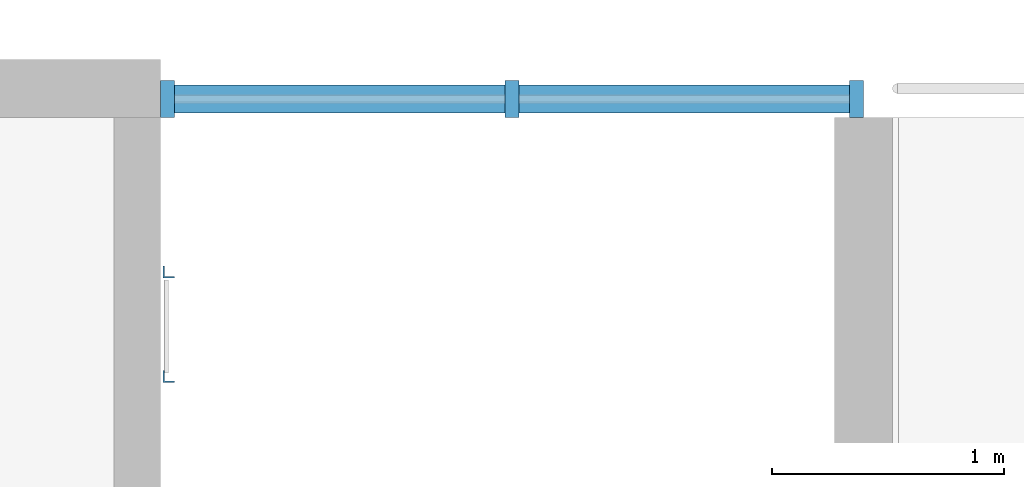
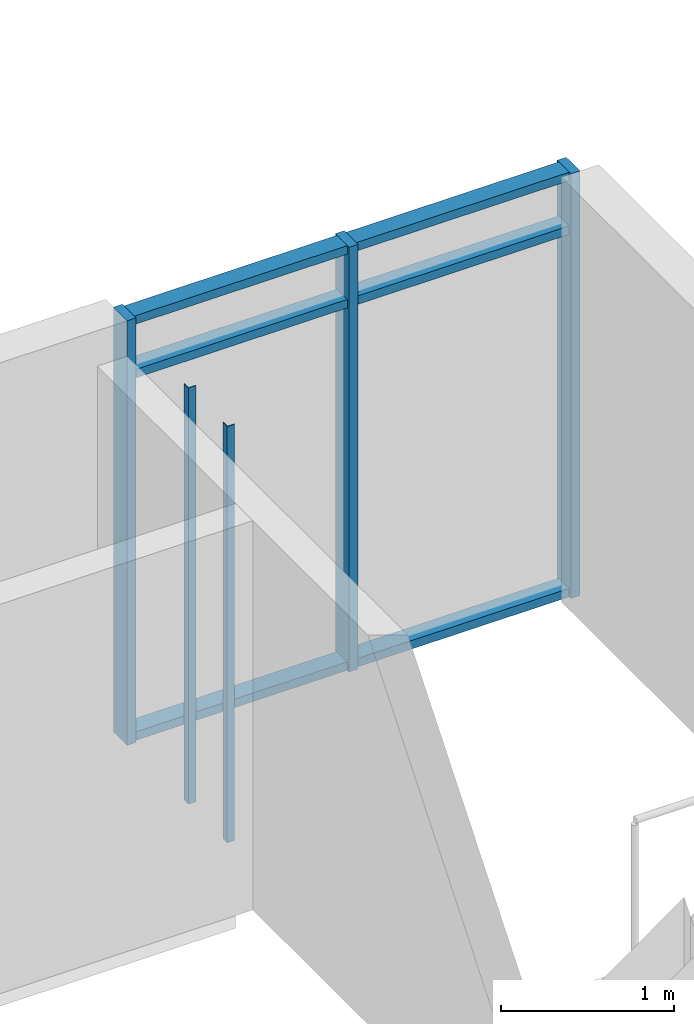
# One storey, part 12 of 33: 11 members, 1 element without a shape of its own.
"""IFC4 building model written with IfcOpenShell, lengths in metres."""

from ifc_helpers import new_model, si_unit, direction, frame, origin, origin_2d, place, context, subcontext, project, spatial, polyline, rectangle, outline, extrude, material, material_profile, profile_set, type_object, element, aggregate, save


model = new_model("IFC4")

# Units and contexts
model_context = context("Model", 3, precision=1e-05, world=origin(), true_north=direction((0.0, 1.0)))
body_context = subcontext(model_context, "Body", "Model", "MODEL_VIEW")
ifc_project = project(units=[si_unit("LENGTHUNIT", "METRE"), si_unit("AREAUNIT", "SQUARE_METRE"), si_unit("VOLUMEUNIT", "CUBIC_METRE"), si_unit("PLANEANGLEUNIT", "RADIAN"), si_unit("MASSUNIT", "GRAM", prefix="KILO")], contexts=[model_context])

# Site, building, storey
site_placement = place(None, origin())
site = spatial("IfcSite", under=ifc_project, at=site_placement, CompositionType="ELEMENT")
building_placement = place(site_placement, origin())
building = spatial("IfcBuilding", under=site, at=building_placement, Name="Ridgestep Commons", CompositionType="ELEMENT")
storey_placement = place(building_placement, frame((0.0, 0.0, 42.0)))
storey = spatial("IfcBuildingStorey", under=building, at=storey_placement, Name="L14", CompositionType="ELEMENT", Elevation=42.0)

# Members
ifc_material_1 = material(Name="Structural steel S355JR", Category="steel")
ifc_material_profile_1 = material_profile(ifc_material_1, outline(polyline([(-0.014404296875, -0.014404296875), (0.03564453125, -0.014404296875), (0.03564453125, -0.00927734375), (-0.00927734375, -0.00927734375), (-0.00927734375, 0.03564453125), (-0.014404296875, 0.03564453125), (-0.014404296875, -0.014404296875)])), Name="EA 50x50x5")
ifc_profile_set_1 = profile_set([ifc_material_profile_1], Name="Structural steel S355JR")
member_type_1 = type_object("IfcMemberType", Name="Core ladder stile EA 50x50x5", PredefinedType="STRINGER", material=ifc_profile_set_1)
for number, where, z_axis, x_axis, name in (
    (1, (217.0, 21.625, 0.0), (0.0, 0.0, 1.0), (1.0, 0.0, 0.0), "Ladder stile D5C.1"),
    (2, (217.0, 22.074951171875, 0.0), (0.0, 0.0, 1.0), (1.0, 0.0, 0.0), "Ladder stile D5C.2"),
):
    element("IfcMember", number, at=place(storey_placement, frame(where, z_axis=z_axis, x_axis=x_axis)), inside=storey, type_object=member_type_1, Name=name, PredefinedType="STRINGER", context=body_context, shape_type="SweptSolid", body=[
        extrude(outline(polyline([(-0.014404296875, -0.014404296875), (0.03564453125, -0.014404296875), (0.03564453125, -0.00927734375), (-0.00927734375, -0.00927734375), (-0.00927734375, 0.03564453125), (-0.014404296875, 0.03564453125), (-0.014404296875, -0.014404296875)])), origin(), (0.0, 0.0, 1.0), 2.93994140625),
    ])

# Curtain wall, members
ifc_material_2 = material(Name="Aluminium 6063-T6 and glass", Category="aluminium")
curtain_wall_type = type_object("IfcCurtainWallType", Name="Curtain wall stair strip", PredefinedType="NOTDEFINED", material=ifc_material_2)
curtain_wall_placement = place(storey_placement, origin())
curtain_wall = element("IfcCurtainWall", 3, at=curtain_wall_placement, inside=storey, type_object=curtain_wall_type, Name="Curtain wall D5C level 14", PredefinedType="NOTDEFINED")
ifc_material_3 = material(Name="Aluminium 6063-T6", Category="aluminium")
ifc_material_profile_2 = material_profile(ifc_material_3, rectangle(XDim=0.159912109375, YDim=0.06005859375, at=origin_2d()), Name="Mullion 60 x 160")
ifc_profile_set_2 = profile_set([ifc_material_profile_2], Name="Aluminium 6063-T6")
member_type_2 = type_object("IfcMemberType", Name="Mullion 60 x 160", PredefinedType="MULLION", material=ifc_profile_set_2)
member_1_placement = place(storey_placement, frame((217.0048828125, 22.830078125, 0.0), z_axis=(0.0, 0.0, 1.0), x_axis=(0.0, 1.0, 0.0)))
member_1 = element("IfcMember", 4, at=member_1_placement, type_object=member_type_2, Name="CW1 mullion 1", PredefinedType="MULLION", context=body_context, shape_type="SweptSolid", body=[
    extrude(rectangle(XDim=0.159912109375, YDim=0.06005859375, at=origin_2d()), origin(), (0.0, 0.0, 1.0), 3.0),
])
member_2_placement = place(storey_placement, frame((218.487548828125, 22.830078125, 0.0), z_axis=(0.0, 0.0, 1.0), x_axis=(0.0, 1.0, 0.0)))
member_2 = element("IfcMember", 5, at=member_2_placement, type_object=member_type_2, Name="CW1 mullion 2", PredefinedType="MULLION", context=body_context, shape_type="SweptSolid", body=[
    extrude(rectangle(XDim=0.159912109375, YDim=0.06005859375, at=origin_2d()), origin(), (0.0, 0.0, 1.0), 3.0),
])
member_3_placement = place(storey_placement, frame((219.969970703125, 22.830078125, 0.0), z_axis=(0.0, 0.0, 1.0), x_axis=(0.0, 1.0, 0.0)))
member_3 = element("IfcMember", 6, at=member_3_placement, type_object=member_type_2, Name="CW1 mullion 3", PredefinedType="MULLION", context=body_context, shape_type="SweptSolid", body=[
    extrude(rectangle(XDim=0.159912109375, YDim=0.06005859375, at=origin_2d()), origin(), (0.0, 0.0, 1.0), 3.0),
])
ifc_material_4 = material(Name="Aluminium 6063-T6", Category="aluminium")
ifc_material_profile_3 = material_profile(ifc_material_4, rectangle(XDim=0.1201171875, YDim=0.06005859375, at=origin_2d()), Name="Transom 60 x 120")
ifc_profile_set_3 = profile_set([ifc_material_profile_3], Name="Aluminium 6063-T6")
member_type_3 = type_object("IfcMemberType", Name="Transom 60 x 120", PredefinedType="USERDEFINED", material=ifc_profile_set_3)
member_4_placement = place(storey_placement, frame((217.034912109375, 22.830078125, 0.030029296875), z_axis=(1.0, 0.0, 0.0), x_axis=(0.0, 1.0, 0.0)))
member_4 = element("IfcMember", 7, at=member_4_placement, type_object=member_type_3, Name="CW1 transom 1.1", ObjectType="TRANSOM", PredefinedType="USERDEFINED", context=body_context, shape_type="SweptSolid", body=[
    extrude(rectangle(XDim=0.1201171875, YDim=0.06005859375, at=origin_2d()), origin(), (0.0, 0.0, 1.0), 1.422607421875),
])
member_5_placement = place(storey_placement, frame((217.034912109375, 22.830078125, 2.590087890625), z_axis=(1.0, 0.0, 0.0), x_axis=(0.0, 1.0, 0.0)))
member_5 = element("IfcMember", 8, at=member_5_placement, type_object=member_type_3, Name="CW1 transom 1.2", ObjectType="TRANSOM", PredefinedType="USERDEFINED", context=body_context, shape_type="SweptSolid", body=[
    extrude(rectangle(XDim=0.1201171875, YDim=0.06005859375, at=origin_2d()), origin(), (0.0, 0.0, 1.0), 1.422607421875),
])
member_6_placement = place(storey_placement, frame((217.034912109375, 22.830078125, 2.969970703125), z_axis=(1.0, 0.0, 0.0), x_axis=(0.0, 1.0, 0.0)))
member_6 = element("IfcMember", 9, at=member_6_placement, type_object=member_type_3, Name="CW1 transom 1.3", ObjectType="TRANSOM", PredefinedType="USERDEFINED", context=body_context, shape_type="SweptSolid", body=[
    extrude(rectangle(XDim=0.1201171875, YDim=0.06005859375, at=origin_2d()), origin(), (0.0, 0.0, 1.0), 1.422607421875),
])
member_7_placement = place(storey_placement, frame((218.517578125, 22.830078125, 0.030029296875), z_axis=(1.0, 0.0, 0.0), x_axis=(0.0, 1.0, 0.0)))
member_7 = element("IfcMember", 10, at=member_7_placement, type_object=member_type_3, Name="CW1 transom 2.1", ObjectType="TRANSOM", PredefinedType="USERDEFINED", context=body_context, shape_type="SweptSolid", body=[
    extrude(rectangle(XDim=0.1201171875, YDim=0.06005859375, at=origin_2d()), origin(), (0.0, 0.0, 1.0), 1.42236328125),
])
member_8_placement = place(storey_placement, frame((218.517578125, 22.830078125, 2.590087890625), z_axis=(1.0, 0.0, 0.0), x_axis=(0.0, 1.0, 0.0)))
member_8 = element("IfcMember", 11, at=member_8_placement, type_object=member_type_3, Name="CW1 transom 2.2", ObjectType="TRANSOM", PredefinedType="USERDEFINED", context=body_context, shape_type="SweptSolid", body=[
    extrude(rectangle(XDim=0.1201171875, YDim=0.06005859375, at=origin_2d()), origin(), (0.0, 0.0, 1.0), 1.42236328125),
])
member_9_placement = place(storey_placement, frame((218.517578125, 22.830078125, 2.969970703125), z_axis=(1.0, 0.0, 0.0), x_axis=(0.0, 1.0, 0.0)))
member_9 = element("IfcMember", 12, at=member_9_placement, type_object=member_type_3, Name="CW1 transom 2.3", ObjectType="TRANSOM", PredefinedType="USERDEFINED", context=body_context, shape_type="SweptSolid", body=[
    extrude(rectangle(XDim=0.1201171875, YDim=0.06005859375, at=origin_2d()), origin(), (0.0, 0.0, 1.0), 1.42236328125),
])
aggregate(curtain_wall, [member_1, member_2, member_3, member_4, member_5, member_6, member_7, member_8, member_9])

save(model, "model.ifc")
